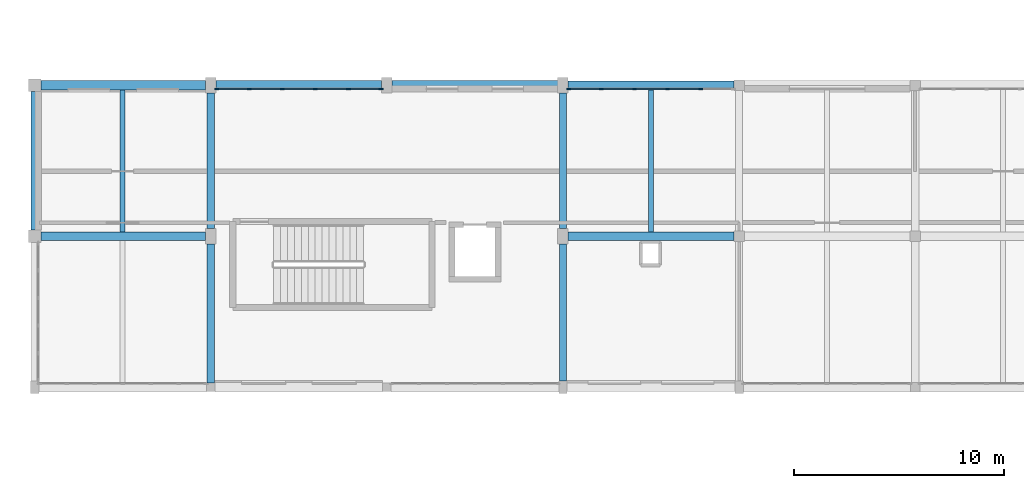
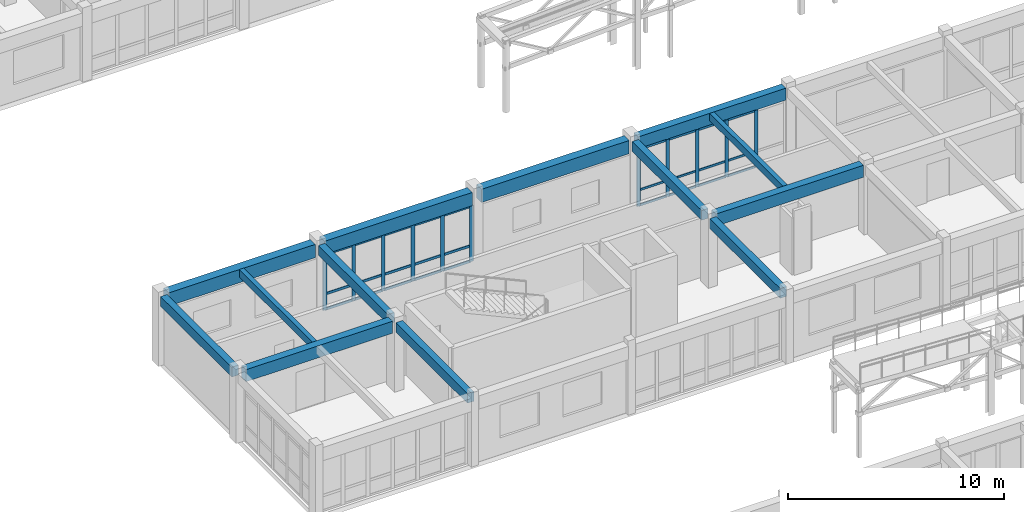
# One storey, part 27 of 89: 38 members, 13 beams, 2 elements without a shape of their own.
"""IFC4 building model written with IfcOpenShell, lengths in metres."""

from ifc_helpers import new_model, si_unit, direction, frame, origin, origin_2d, place, context, subcontext, project, spatial, rectangle, extrude, material, material_profile, profile_set, type_object, element, aggregate, save


model = new_model("IFC4")

# Units and contexts
model_context = context("Model", 3, precision=1e-05, world=origin(), true_north=direction((0.0, 1.0)))
body_context = subcontext(model_context, "Body", "Model", "MODEL_VIEW")
ifc_project = project(units=[si_unit("LENGTHUNIT", "METRE"), si_unit("AREAUNIT", "SQUARE_METRE"), si_unit("VOLUMEUNIT", "CUBIC_METRE"), si_unit("PLANEANGLEUNIT", "RADIAN"), si_unit("MASSUNIT", "GRAM", prefix="KILO")], contexts=[model_context])

# Site, building, storey
site_placement = place(None, origin())
site = spatial("IfcSite", under=ifc_project, at=site_placement, CompositionType="ELEMENT")
building_placement = place(site_placement, origin())
building = spatial("IfcBuilding", under=site, at=building_placement, Name="Malvenik Polytechnic", CompositionType="ELEMENT")
storey_placement = place(building_placement, frame((0.0, 0.0, 13.5)))
storey = spatial("IfcBuildingStorey", under=building, at=storey_placement, Name="L03", CompositionType="ELEMENT", Elevation=13.5)

# Curtain wall, members
ifc_material_1 = material(Name="Anodised aluminium 6060-T6", Category="aluminium")
curtain_wall_type = type_object("IfcCurtainWallType", Name="ARC-CW-CW-02", PredefinedType="NOTDEFINED", material=ifc_material_1)
curtain_wall_1_placement = place(storey_placement, origin())
curtain_wall_1 = element("IfcCurtainWall", 1, at=curtain_wall_1_placement, inside=storey, type_object=curtain_wall_type, Name="Unitised Curtain Wall CW-02 L03 #163", PredefinedType="NOTDEFINED")
ifc_material_2 = material(Name="Anodised aluminium", Category="aluminium")
ifc_material_profile_1 = material_profile(ifc_material_2, rectangle(XDim=0.06005859375, YDim=0.179931640625, at=origin_2d()), Name="ALU MULLION 60x180")
ifc_profile_set_1 = profile_set([ifc_material_profile_1], Name="Anodised aluminium")
member_type_1 = type_object("IfcMemberType", Name="ARC-CWM-180", PredefinedType="MULLION", material=ifc_profile_set_1)
member_1_placement = place(storey_placement, frame((25.47802734375, 93.429931640625, 0.0), z_axis=(0.0, 0.0, 1.0), x_axis=(0.0, 1.0, 0.0)))
member_1 = element("IfcMember", 2, at=member_1_placement, type_object=member_type_1, Name="CW-02 mullion 1", PredefinedType="MULLION", context=body_context, shape_type="SweptSolid", body=[
    extrude(rectangle(XDim=0.06005859375, YDim=0.179931640625, at=origin_2d()), origin(), (0.0, 0.0, 1.0), 3.22998046875),
])
member_2_placement = place(storey_placement, frame((27.02880859375, 93.429931640625, 0.0), z_axis=(0.0, 0.0, 1.0), x_axis=(0.0, 1.0, 0.0)))
member_2 = element("IfcMember", 3, at=member_2_placement, type_object=member_type_1, Name="CW-02 mullion 2", PredefinedType="MULLION", context=body_context, shape_type="SweptSolid", body=[
    extrude(rectangle(XDim=0.06005859375, YDim=0.179931640625, at=origin_2d()), origin(), (0.0, 0.0, 1.0), 3.22998046875),
])
member_3_placement = place(storey_placement, frame((28.609619140625, 93.429931640625, 0.0), z_axis=(0.0, 0.0, 1.0), x_axis=(0.0, 1.0, 0.0)))
member_3 = element("IfcMember", 4, at=member_3_placement, type_object=member_type_1, Name="CW-02 mullion 3", PredefinedType="MULLION", context=body_context, shape_type="SweptSolid", body=[
    extrude(rectangle(XDim=0.06005859375, YDim=0.179931640625, at=origin_2d()), origin(), (0.0, 0.0, 1.0), 3.22998046875),
])
member_4_placement = place(storey_placement, frame((30.1904296875, 93.429931640625, 0.0), z_axis=(0.0, 0.0, 1.0), x_axis=(0.0, 1.0, 0.0)))
member_4 = element("IfcMember", 5, at=member_4_placement, type_object=member_type_1, Name="CW-02 mullion 4", PredefinedType="MULLION", context=body_context, shape_type="SweptSolid", body=[
    extrude(rectangle(XDim=0.06005859375, YDim=0.179931640625, at=origin_2d()), origin(), (0.0, 0.0, 1.0), 3.22998046875),
])
member_5_placement = place(storey_placement, frame((31.771240234375, 93.429931640625, 0.0), z_axis=(0.0, 0.0, 1.0), x_axis=(0.0, 1.0, 0.0)))
member_5 = element("IfcMember", 6, at=member_5_placement, type_object=member_type_1, Name="CW-02 mullion 5", PredefinedType="MULLION", context=body_context, shape_type="SweptSolid", body=[
    extrude(rectangle(XDim=0.06005859375, YDim=0.179931640625, at=origin_2d()), origin(), (0.0, 0.0, 1.0), 3.22998046875),
])

curtain_wall_2_placement = place(storey_placement, origin())
curtain_wall_2 = element("IfcCurtainWall", 7, at=curtain_wall_2_placement, inside=storey, type_object=curtain_wall_type, Name="Unitised Curtain Wall CW-02 L03 #162", PredefinedType="NOTDEFINED")
ifc_material_profile_2 = material_profile(ifc_material_2, rectangle(XDim=0.06005859375, YDim=0.199951171875, at=origin_2d()), Name="ALU MULLION 60x200")
ifc_profile_set_2 = profile_set([ifc_material_profile_2], Name="Anodised aluminium")
member_type_2 = type_object("IfcMemberType", Name="ARC-CWM-200", PredefinedType="MULLION", material=ifc_profile_set_2)
member_6_placement = place(storey_placement, frame((8.677978515625, 93.429931640625, 0.0), z_axis=(0.0, 0.0, 1.0), x_axis=(0.0, 1.0, 0.0)))
member_6 = element("IfcMember", 8, at=member_6_placement, type_object=member_type_2, Name="CW-02 mullion 1", PredefinedType="MULLION", context=body_context, shape_type="SweptSolid", body=[
    extrude(rectangle(XDim=0.06005859375, YDim=0.199951171875, at=origin_2d()), origin(), (0.0, 0.0, 1.0), 3.159912109375),
])
member_7_placement = place(storey_placement, frame((10.228759765625, 93.429931640625, 0.0), z_axis=(0.0, 0.0, 1.0), x_axis=(0.0, 1.0, 0.0)))
member_7 = element("IfcMember", 9, at=member_7_placement, type_object=member_type_2, Name="CW-02 mullion 2", PredefinedType="MULLION", context=body_context, shape_type="SweptSolid", body=[
    extrude(rectangle(XDim=0.06005859375, YDim=0.199951171875, at=origin_2d()), origin(), (0.0, 0.0, 1.0), 3.159912109375),
])
member_8_placement = place(storey_placement, frame((11.8095703125, 93.429931640625, 0.0), z_axis=(0.0, 0.0, 1.0), x_axis=(0.0, 1.0, 0.0)))
member_8 = element("IfcMember", 10, at=member_8_placement, type_object=member_type_2, Name="CW-02 mullion 3", PredefinedType="MULLION", context=body_context, shape_type="SweptSolid", body=[
    extrude(rectangle(XDim=0.06005859375, YDim=0.199951171875, at=origin_2d()), origin(), (0.0, 0.0, 1.0), 3.159912109375),
])
member_9_placement = place(storey_placement, frame((13.390380859375, 93.429931640625, 0.0), z_axis=(0.0, 0.0, 1.0), x_axis=(0.0, 1.0, 0.0)))
member_9 = element("IfcMember", 11, at=member_9_placement, type_object=member_type_2, Name="CW-02 mullion 4", PredefinedType="MULLION", context=body_context, shape_type="SweptSolid", body=[
    extrude(rectangle(XDim=0.06005859375, YDim=0.199951171875, at=origin_2d()), origin(), (0.0, 0.0, 1.0), 3.159912109375),
])
member_10_placement = place(storey_placement, frame((14.97119140625, 93.429931640625, 0.0), z_axis=(0.0, 0.0, 1.0), x_axis=(0.0, 1.0, 0.0)))
member_10 = element("IfcMember", 12, at=member_10_placement, type_object=member_type_2, Name="CW-02 mullion 5", PredefinedType="MULLION", context=body_context, shape_type="SweptSolid", body=[
    extrude(rectangle(XDim=0.06005859375, YDim=0.199951171875, at=origin_2d()), origin(), (0.0, 0.0, 1.0), 3.159912109375),
])
member_11_placement = place(storey_placement, frame((16.52197265625, 93.429931640625, 0.0), z_axis=(0.0, 0.0, 1.0), x_axis=(0.0, 1.0, 0.0)))
member_11 = element("IfcMember", 13, at=member_11_placement, type_object=member_type_2, Name="CW-02 mullion 6", PredefinedType="MULLION", context=body_context, shape_type="SweptSolid", body=[
    extrude(rectangle(XDim=0.06005859375, YDim=0.199951171875, at=origin_2d()), origin(), (0.0, 0.0, 1.0), 3.159912109375),
])

# Member
ifc_material_profile_3 = material_profile(ifc_material_2, rectangle(XDim=0.06005859375, YDim=0.1201171875, at=origin_2d()), Name="ALU TRANSOM 60x120")
ifc_profile_set_3 = profile_set([ifc_material_profile_3], Name="Anodised aluminium")
member_type_3 = type_object("IfcMemberType", Name="ARC-CWT-120", PredefinedType="USERDEFINED", material=ifc_profile_set_3)
member_12_placement = place(storey_placement, frame((25.508056640625, 93.429931640625, 0.030029296875), z_axis=(1.0, 0.0, 0.0), x_axis=(0.0, 1.0, 0.0)))
member_12 = element("IfcMember", 14, at=member_12_placement, type_object=member_type_3, Name="CW-02 transom 1.1", ObjectType="TRANSOM", PredefinedType="USERDEFINED", context=body_context, shape_type="SweptSolid", body=[
    extrude(rectangle(XDim=0.06005859375, YDim=0.1201171875, at=origin_2d()), origin(), (0.0, 0.0, 1.0), 1.49072265625),
])

member_13_placement = place(storey_placement, frame((25.508056640625, 93.429931640625, 0.89990234375), z_axis=(1.0, 0.0, 0.0), x_axis=(0.0, 1.0, 0.0)))
member_13 = element("IfcMember", 15, at=member_13_placement, type_object=member_type_3, Name="CW-02 transom 1.2", ObjectType="TRANSOM", PredefinedType="USERDEFINED", context=body_context, shape_type="SweptSolid", body=[
    extrude(rectangle(XDim=0.06005859375, YDim=0.1201171875, at=origin_2d()), origin(), (0.0, 0.0, 1.0), 1.49072265625),
])

member_14_placement = place(storey_placement, frame((25.508056640625, 93.429931640625, 3.199951171875), z_axis=(1.0, 0.0, 0.0), x_axis=(0.0, 1.0, 0.0)))
member_14 = element("IfcMember", 16, at=member_14_placement, type_object=member_type_3, Name="CW-02 transom 1.3", ObjectType="TRANSOM", PredefinedType="USERDEFINED", context=body_context, shape_type="SweptSolid", body=[
    extrude(rectangle(XDim=0.06005859375, YDim=0.1201171875, at=origin_2d()), origin(), (0.0, 0.0, 1.0), 1.49072265625),
])

member_15_placement = place(storey_placement, frame((27.058837890625, 93.429931640625, 0.030029296875), z_axis=(1.0, 0.0, 0.0), x_axis=(0.0, 1.0, 0.0)))
member_15 = element("IfcMember", 17, at=member_15_placement, type_object=member_type_3, Name="CW-02 transom 2.1", ObjectType="TRANSOM", PredefinedType="USERDEFINED", context=body_context, shape_type="SweptSolid", body=[
    extrude(rectangle(XDim=0.06005859375, YDim=0.1201171875, at=origin_2d()), origin(), (0.0, 0.0, 1.0), 1.520751953125),
])

member_16_placement = place(storey_placement, frame((27.058837890625, 93.429931640625, 0.89990234375), z_axis=(1.0, 0.0, 0.0), x_axis=(0.0, 1.0, 0.0)))
member_16 = element("IfcMember", 18, at=member_16_placement, type_object=member_type_3, Name="CW-02 transom 2.2", ObjectType="TRANSOM", PredefinedType="USERDEFINED", context=body_context, shape_type="SweptSolid", body=[
    extrude(rectangle(XDim=0.06005859375, YDim=0.1201171875, at=origin_2d()), origin(), (0.0, 0.0, 1.0), 1.520751953125),
])

member_17_placement = place(storey_placement, frame((27.058837890625, 93.429931640625, 3.199951171875), z_axis=(1.0, 0.0, 0.0), x_axis=(0.0, 1.0, 0.0)))
member_17 = element("IfcMember", 19, at=member_17_placement, type_object=member_type_3, Name="CW-02 transom 2.3", ObjectType="TRANSOM", PredefinedType="USERDEFINED", context=body_context, shape_type="SweptSolid", body=[
    extrude(rectangle(XDim=0.06005859375, YDim=0.1201171875, at=origin_2d()), origin(), (0.0, 0.0, 1.0), 1.520751953125),
])

member_18_placement = place(storey_placement, frame((28.6396484375, 93.429931640625, 0.030029296875), z_axis=(1.0, 0.0, 0.0), x_axis=(0.0, 1.0, 0.0)))
member_18 = element("IfcMember", 20, at=member_18_placement, type_object=member_type_3, Name="CW-02 transom 3.1", ObjectType="TRANSOM", PredefinedType="USERDEFINED", context=body_context, shape_type="SweptSolid", body=[
    extrude(rectangle(XDim=0.06005859375, YDim=0.1201171875, at=origin_2d()), origin(), (0.0, 0.0, 1.0), 1.520751953125),
])

member_19_placement = place(storey_placement, frame((28.6396484375, 93.429931640625, 0.89990234375), z_axis=(1.0, 0.0, 0.0), x_axis=(0.0, 1.0, 0.0)))
member_19 = element("IfcMember", 21, at=member_19_placement, type_object=member_type_3, Name="CW-02 transom 3.2", ObjectType="TRANSOM", PredefinedType="USERDEFINED", context=body_context, shape_type="SweptSolid", body=[
    extrude(rectangle(XDim=0.06005859375, YDim=0.1201171875, at=origin_2d()), origin(), (0.0, 0.0, 1.0), 1.520751953125),
])

member_20_placement = place(storey_placement, frame((28.6396484375, 93.429931640625, 3.199951171875), z_axis=(1.0, 0.0, 0.0), x_axis=(0.0, 1.0, 0.0)))
member_20 = element("IfcMember", 22, at=member_20_placement, type_object=member_type_3, Name="CW-02 transom 3.3", ObjectType="TRANSOM", PredefinedType="USERDEFINED", context=body_context, shape_type="SweptSolid", body=[
    extrude(rectangle(XDim=0.06005859375, YDim=0.1201171875, at=origin_2d()), origin(), (0.0, 0.0, 1.0), 1.520751953125),
])

member_21_placement = place(storey_placement, frame((30.220458984375, 93.429931640625, 0.030029296875), z_axis=(1.0, 0.0, 0.0), x_axis=(0.0, 1.0, 0.0)))
member_21 = element("IfcMember", 23, at=member_21_placement, type_object=member_type_3, Name="CW-02 transom 4.1", ObjectType="TRANSOM", PredefinedType="USERDEFINED", context=body_context, shape_type="SweptSolid", body=[
    extrude(rectangle(XDim=0.06005859375, YDim=0.1201171875, at=origin_2d()), origin(), (0.0, 0.0, 1.0), 1.520751953125),
])

member_22_placement = place(storey_placement, frame((30.220458984375, 93.429931640625, 0.89990234375), z_axis=(1.0, 0.0, 0.0), x_axis=(0.0, 1.0, 0.0)))
member_22 = element("IfcMember", 24, at=member_22_placement, type_object=member_type_3, Name="CW-02 transom 4.2", ObjectType="TRANSOM", PredefinedType="USERDEFINED", context=body_context, shape_type="SweptSolid", body=[
    extrude(rectangle(XDim=0.06005859375, YDim=0.1201171875, at=origin_2d()), origin(), (0.0, 0.0, 1.0), 1.520751953125),
])

member_23_placement = place(storey_placement, frame((30.220458984375, 93.429931640625, 3.199951171875), z_axis=(1.0, 0.0, 0.0), x_axis=(0.0, 1.0, 0.0)))
member_23 = element("IfcMember", 25, at=member_23_placement, type_object=member_type_3, Name="CW-02 transom 4.3", ObjectType="TRANSOM", PredefinedType="USERDEFINED", context=body_context, shape_type="SweptSolid", body=[
    extrude(rectangle(XDim=0.06005859375, YDim=0.1201171875, at=origin_2d()), origin(), (0.0, 0.0, 1.0), 1.520751953125),
])

aggregate(curtain_wall_1, [member_1, member_2, member_3, member_4, member_5, member_12, member_13, member_14, member_15, member_16, member_17, member_18, member_19, member_20, member_21, member_22, member_23])

ifc_material_profile_4 = material_profile(ifc_material_2, rectangle(XDim=0.06005859375, YDim=0.139892578125, at=origin_2d()), Name="ALU TRANSOM 60x140")
ifc_profile_set_4 = profile_set([ifc_material_profile_4], Name="Anodised aluminium")
member_type_4 = type_object("IfcMemberType", Name="ARC-CWT-140", PredefinedType="USERDEFINED", material=ifc_profile_set_4)
member_24_placement = place(storey_placement, frame((8.7080078125, 93.429931640625, 0.030029296875), z_axis=(1.0, 0.0, 0.0), x_axis=(0.0, 1.0, 0.0)))
member_24 = element("IfcMember", 26, at=member_24_placement, type_object=member_type_4, Name="CW-02 transom 1.1", ObjectType="TRANSOM", PredefinedType="USERDEFINED", context=body_context, shape_type="SweptSolid", body=[
    extrude(rectangle(XDim=0.06005859375, YDim=0.139892578125, at=origin_2d()), origin(), (0.0, 0.0, 1.0), 1.49072265625),
])

member_25_placement = place(storey_placement, frame((8.7080078125, 93.429931640625, 0.89990234375), z_axis=(1.0, 0.0, 0.0), x_axis=(0.0, 1.0, 0.0)))
member_25 = element("IfcMember", 27, at=member_25_placement, type_object=member_type_4, Name="CW-02 transom 1.2", ObjectType="TRANSOM", PredefinedType="USERDEFINED", context=body_context, shape_type="SweptSolid", body=[
    extrude(rectangle(XDim=0.06005859375, YDim=0.139892578125, at=origin_2d()), origin(), (0.0, 0.0, 1.0), 1.49072265625),
])

member_26_placement = place(storey_placement, frame((8.7080078125, 93.429931640625, 3.1298828125), z_axis=(1.0, 0.0, 0.0), x_axis=(0.0, 1.0, 0.0)))
member_26 = element("IfcMember", 28, at=member_26_placement, type_object=member_type_4, Name="CW-02 transom 1.3", ObjectType="TRANSOM", PredefinedType="USERDEFINED", context=body_context, shape_type="SweptSolid", body=[
    extrude(rectangle(XDim=0.06005859375, YDim=0.139892578125, at=origin_2d()), origin(), (0.0, 0.0, 1.0), 1.49072265625),
])

member_27_placement = place(storey_placement, frame((10.2587890625, 93.429931640625, 0.030029296875), z_axis=(1.0, 0.0, 0.0), x_axis=(0.0, 1.0, 0.0)))
member_27 = element("IfcMember", 29, at=member_27_placement, type_object=member_type_4, Name="CW-02 transom 2.1", ObjectType="TRANSOM", PredefinedType="USERDEFINED", context=body_context, shape_type="SweptSolid", body=[
    extrude(rectangle(XDim=0.06005859375, YDim=0.139892578125, at=origin_2d()), origin(), (0.0, 0.0, 1.0), 1.520751953125),
])

member_28_placement = place(storey_placement, frame((10.2587890625, 93.429931640625, 0.89990234375), z_axis=(1.0, 0.0, 0.0), x_axis=(0.0, 1.0, 0.0)))
member_28 = element("IfcMember", 30, at=member_28_placement, type_object=member_type_4, Name="CW-02 transom 2.2", ObjectType="TRANSOM", PredefinedType="USERDEFINED", context=body_context, shape_type="SweptSolid", body=[
    extrude(rectangle(XDim=0.06005859375, YDim=0.139892578125, at=origin_2d()), origin(), (0.0, 0.0, 1.0), 1.520751953125),
])

member_29_placement = place(storey_placement, frame((10.2587890625, 93.429931640625, 3.1298828125), z_axis=(1.0, 0.0, 0.0), x_axis=(0.0, 1.0, 0.0)))
member_29 = element("IfcMember", 31, at=member_29_placement, type_object=member_type_4, Name="CW-02 transom 2.3", ObjectType="TRANSOM", PredefinedType="USERDEFINED", context=body_context, shape_type="SweptSolid", body=[
    extrude(rectangle(XDim=0.06005859375, YDim=0.139892578125, at=origin_2d()), origin(), (0.0, 0.0, 1.0), 1.520751953125),
])

member_30_placement = place(storey_placement, frame((11.839599609375, 93.429931640625, 0.030029296875), z_axis=(1.0, 0.0, 0.0), x_axis=(0.0, 1.0, 0.0)))
member_30 = element("IfcMember", 32, at=member_30_placement, type_object=member_type_4, Name="CW-02 transom 3.1", ObjectType="TRANSOM", PredefinedType="USERDEFINED", context=body_context, shape_type="SweptSolid", body=[
    extrude(rectangle(XDim=0.06005859375, YDim=0.139892578125, at=origin_2d()), origin(), (0.0, 0.0, 1.0), 1.520751953125),
])

member_31_placement = place(storey_placement, frame((11.839599609375, 93.429931640625, 0.89990234375), z_axis=(1.0, 0.0, 0.0), x_axis=(0.0, 1.0, 0.0)))
member_31 = element("IfcMember", 33, at=member_31_placement, type_object=member_type_4, Name="CW-02 transom 3.2", ObjectType="TRANSOM", PredefinedType="USERDEFINED", context=body_context, shape_type="SweptSolid", body=[
    extrude(rectangle(XDim=0.06005859375, YDim=0.139892578125, at=origin_2d()), origin(), (0.0, 0.0, 1.0), 1.520751953125),
])

member_32_placement = place(storey_placement, frame((11.839599609375, 93.429931640625, 3.1298828125), z_axis=(1.0, 0.0, 0.0), x_axis=(0.0, 1.0, 0.0)))
member_32 = element("IfcMember", 34, at=member_32_placement, type_object=member_type_4, Name="CW-02 transom 3.3", ObjectType="TRANSOM", PredefinedType="USERDEFINED", context=body_context, shape_type="SweptSolid", body=[
    extrude(rectangle(XDim=0.06005859375, YDim=0.139892578125, at=origin_2d()), origin(), (0.0, 0.0, 1.0), 1.520751953125),
])

member_33_placement = place(storey_placement, frame((13.42041015625, 93.429931640625, 0.030029296875), z_axis=(1.0, 0.0, 0.0), x_axis=(0.0, 1.0, 0.0)))
member_33 = element("IfcMember", 35, at=member_33_placement, type_object=member_type_4, Name="CW-02 transom 4.1", ObjectType="TRANSOM", PredefinedType="USERDEFINED", context=body_context, shape_type="SweptSolid", body=[
    extrude(rectangle(XDim=0.06005859375, YDim=0.139892578125, at=origin_2d()), origin(), (0.0, 0.0, 1.0), 1.520751953125),
])

member_34_placement = place(storey_placement, frame((13.42041015625, 93.429931640625, 0.89990234375), z_axis=(1.0, 0.0, 0.0), x_axis=(0.0, 1.0, 0.0)))
member_34 = element("IfcMember", 36, at=member_34_placement, type_object=member_type_4, Name="CW-02 transom 4.2", ObjectType="TRANSOM", PredefinedType="USERDEFINED", context=body_context, shape_type="SweptSolid", body=[
    extrude(rectangle(XDim=0.06005859375, YDim=0.139892578125, at=origin_2d()), origin(), (0.0, 0.0, 1.0), 1.520751953125),
])

member_35_placement = place(storey_placement, frame((13.42041015625, 93.429931640625, 3.1298828125), z_axis=(1.0, 0.0, 0.0), x_axis=(0.0, 1.0, 0.0)))
member_35 = element("IfcMember", 37, at=member_35_placement, type_object=member_type_4, Name="CW-02 transom 4.3", ObjectType="TRANSOM", PredefinedType="USERDEFINED", context=body_context, shape_type="SweptSolid", body=[
    extrude(rectangle(XDim=0.06005859375, YDim=0.139892578125, at=origin_2d()), origin(), (0.0, 0.0, 1.0), 1.520751953125),
])

member_36_placement = place(storey_placement, frame((15.001220703125, 93.429931640625, 0.030029296875), z_axis=(1.0, 0.0, 0.0), x_axis=(0.0, 1.0, 0.0)))
member_36 = element("IfcMember", 38, at=member_36_placement, type_object=member_type_4, Name="CW-02 transom 5.1", ObjectType="TRANSOM", PredefinedType="USERDEFINED", context=body_context, shape_type="SweptSolid", body=[
    extrude(rectangle(XDim=0.06005859375, YDim=0.139892578125, at=origin_2d()), origin(), (0.0, 0.0, 1.0), 1.49072265625),
])

member_37_placement = place(storey_placement, frame((15.001220703125, 93.429931640625, 0.89990234375), z_axis=(1.0, 0.0, 0.0), x_axis=(0.0, 1.0, 0.0)))
member_37 = element("IfcMember", 39, at=member_37_placement, type_object=member_type_4, Name="CW-02 transom 5.2", ObjectType="TRANSOM", PredefinedType="USERDEFINED", context=body_context, shape_type="SweptSolid", body=[
    extrude(rectangle(XDim=0.06005859375, YDim=0.139892578125, at=origin_2d()), origin(), (0.0, 0.0, 1.0), 1.49072265625),
])

member_38_placement = place(storey_placement, frame((15.001220703125, 93.429931640625, 3.1298828125), z_axis=(1.0, 0.0, 0.0), x_axis=(0.0, 1.0, 0.0)))
member_38 = element("IfcMember", 40, at=member_38_placement, type_object=member_type_4, Name="CW-02 transom 5.3", ObjectType="TRANSOM", PredefinedType="USERDEFINED", context=body_context, shape_type="SweptSolid", body=[
    extrude(rectangle(XDim=0.06005859375, YDim=0.139892578125, at=origin_2d()), origin(), (0.0, 0.0, 1.0), 1.49072265625),
])

aggregate(curtain_wall_2, [member_6, member_7, member_8, member_9, member_10, member_11, member_24, member_25, member_26, member_27, member_28, member_29, member_30, member_31, member_32, member_33, member_34, member_35, member_36, member_37, member_38])

# Beams
ifc_material_3 = material(Name="Concrete C35/45", Category="concrete")
ifc_material_profile_5 = material_profile(ifc_material_3, rectangle(XDim=0.39990234375, YDim=0.679931640625, at=origin_2d()), Name="RC BM 400x680")
ifc_profile_set_5 = profile_set([ifc_material_profile_5], Name="Concrete C35/45")
beam_type_1 = type_object("IfcBeamType", Name="STR-BM-B-05", PredefinedType="BEAM", material=ifc_profile_set_5)
beam_1_placement = place(storey_placement, frame((0.298095703125, 86.39990234375, 3.580078125), z_axis=(1.0, 0.0, 0.0), x_axis=(0.0, 1.0, 0.0)))
element("IfcBeam", 41, at=beam_1_placement, inside=storey, type_object=beam_type_1, Name="Primary Beam B-05 L03 #1650", PredefinedType="BEAM", context=body_context, shape_type="SweptSolid", body=[
    extrude(rectangle(XDim=0.39990234375, YDim=0.679931640625, at=origin_2d()), origin(), (0.0, 0.0, 1.0), 7.85400390625),
])
for number, where, z_axis, x_axis, name in (
    (42, (25.447998046875, 86.39990234375, 3.580078125), (1.0, 0.0, 0.0), (0.0, 1.0, 0.0), "Primary Beam B-05 L03 #1651"),
    (43, (25.447998046875, 93.60009765625, 3.580078125), (1.0, 0.0, 0.0), (0.0, 1.0, 0.0), "Primary Beam B-05 L03 #1665"),
):
    element("IfcBeam", number, at=place(storey_placement, frame(where, z_axis=z_axis, x_axis=x_axis)), inside=storey, type_object=beam_type_1, Name=name, PredefinedType="BEAM", context=body_context, shape_type="SweptSolid", body=[
        extrude(rectangle(XDim=0.39990234375, YDim=0.679931640625, at=origin_2d()), origin(), (0.0, 0.0, 1.0), 7.904052734375),
    ])
ifc_material_profile_6 = material_profile(ifc_material_3, rectangle(XDim=0.35009765625, YDim=0.550048828125, at=origin_2d()), Name="RC BM 350x550")
ifc_profile_set_6 = profile_set([ifc_material_profile_6], Name="Concrete C35/45")
beam_type_2 = type_object("IfcBeamType", Name="STR-BM-B-08", PredefinedType="BEAM", material=ifc_profile_set_6)
beam_2_placement = place(storey_placement, frame((0.0, 86.697998046875, 3.64501953125), z_axis=(0.0, 1.0, 0.0), x_axis=(-1.0, 0.0, 0.0)))
element("IfcBeam", 44, at=beam_2_placement, inside=storey, type_object=beam_type_2, Name="Transverse Beam B-08 L03 #1720", PredefinedType="BEAM", context=body_context, shape_type="SweptSolid", body=[
    extrude(rectangle(XDim=0.35009765625, YDim=0.550048828125, at=origin_2d()), origin(), (0.0, 0.0, 1.0), 6.60400390625),
])
beam_3_placement = place(storey_placement, frame((8.39990234375, 79.39794921875, 3.64501953125), z_axis=(0.0, 1.0, 0.0), x_axis=(-1.0, 0.0, 0.0)))
element("IfcBeam", 45, at=beam_3_placement, inside=storey, type_object=beam_type_2, Name="Transverse Beam B-08 L03 #1724", PredefinedType="BEAM", context=body_context, shape_type="SweptSolid", body=[
    extrude(rectangle(XDim=0.35009765625, YDim=0.550048828125, at=origin_2d()), origin(), (0.0, 0.0, 1.0), 6.629150390625),
])
beam_4_placement = place(storey_placement, frame((8.39990234375, 86.77294921875, 3.64501953125), z_axis=(0.0, 1.0, 0.0), x_axis=(-1.0, 0.0, 0.0)))
element("IfcBeam", 46, at=beam_4_placement, inside=storey, type_object=beam_type_2, Name="Transverse Beam B-08 L03 #1725", PredefinedType="BEAM", context=body_context, shape_type="SweptSolid", body=[
    extrude(rectangle(XDim=0.35009765625, YDim=0.550048828125, at=origin_2d()), origin(), (0.0, 0.0, 1.0), 6.4541015625),
])
beam_5_placement = place(storey_placement, frame((25.199951171875, 79.498046875, 3.64501953125), z_axis=(0.0, 1.0, 0.0), x_axis=(-1.0, 0.0, 0.0)))
element("IfcBeam", 47, at=beam_5_placement, inside=storey, type_object=beam_type_2, Name="Transverse Beam B-08 L03 #1730", PredefinedType="BEAM", context=body_context, shape_type="SweptSolid", body=[
    extrude(rectangle(XDim=0.35009765625, YDim=0.550048828125, at=origin_2d()), origin(), (0.0, 0.0, 1.0), 6.529052734375),
])
beam_6_placement = place(storey_placement, frame((25.199951171875, 86.77294921875, 3.64501953125), z_axis=(0.0, 1.0, 0.0), x_axis=(-1.0, 0.0, 0.0)))
element("IfcBeam", 48, at=beam_6_placement, inside=storey, type_object=beam_type_2, Name="Transverse Beam B-08 L03 #1731", PredefinedType="BEAM", context=body_context, shape_type="SweptSolid", body=[
    extrude(rectangle(XDim=0.35009765625, YDim=0.550048828125, at=origin_2d()), origin(), (0.0, 0.0, 1.0), 6.4541015625),
])
ifc_material_4 = material(Name="Concrete C30/37", Category="concrete")
ifc_material_profile_7 = material_profile(ifc_material_4, rectangle(XDim=0.239990234375, YDim=0.419921875, at=origin_2d()), Name="RC JST 240x420")
ifc_profile_set_7 = profile_set([ifc_material_profile_7], Name="Concrete C30/37")
beam_type_3 = type_object("IfcBeamType", Name="STR-BM-J-03", PredefinedType="JOIST", material=ifc_profile_set_7)
beam_7_placement = place(storey_placement, frame((4.199951171875, 86.597900390625, 3.7099609375), z_axis=(0.0, 1.0, 0.0), x_axis=(-1.0, 0.0, 0.0)))
element("IfcBeam", 49, at=beam_7_placement, inside=storey, type_object=beam_type_3, Name="Secondary Rib Joist J-03 L03 #1784", PredefinedType="JOIST", context=body_context, shape_type="SweptSolid", body=[
    extrude(rectangle(XDim=0.239990234375, YDim=0.419921875, at=origin_2d()), origin(), (0.0, 0.0, 1.0), 6.774169921875),
])
beam_8_placement = place(storey_placement, frame((29.39990234375, 86.597900390625, 3.7099609375), z_axis=(0.0, 1.0, 0.0), x_axis=(-1.0, 0.0, 0.0)))
element("IfcBeam", 50, at=beam_8_placement, inside=storey, type_object=beam_type_3, Name="Secondary Rib Joist J-03 L03 #1790", PredefinedType="JOIST", context=body_context, shape_type="SweptSolid", body=[
    extrude(rectangle(XDim=0.239990234375, YDim=0.419921875, at=origin_2d()), origin(), (0.0, 0.0, 1.0), 6.80419921875),
])
ifc_material_5 = material(Name="Precast concrete C40/50", Category="concrete")
ifc_material_profile_8 = material_profile(ifc_material_5, rectangle(XDim=0.4599609375, YDim=0.75, at=origin_2d()), Name="PC SPN 460x750")
ifc_profile_set_8 = profile_set([ifc_material_profile_8], Name="Precast concrete C40/50")
beam_type_4 = type_object("IfcBeamType", Name="STR-BM-SP-02", PredefinedType="SPANDREL", material=ifc_profile_set_8)
beam_9_placement = place(storey_placement, frame((0.298095703125, 93.60009765625, 3.544921875), z_axis=(1.0, 0.0, 0.0), x_axis=(0.0, 1.0, 0.0)))
element("IfcBeam", 51, at=beam_9_placement, inside=storey, type_object=beam_type_4, Name="Primary Beam SP-02 L03 #1662", PredefinedType="SPANDREL", context=body_context, shape_type="SweptSolid", body=[
    extrude(rectangle(XDim=0.4599609375, YDim=0.75, at=origin_2d()), origin(), (0.0, 0.0, 1.0), 7.85400390625),
])
beam_10_placement = place(storey_placement, frame((8.64794921875, 93.60009765625, 3.544921875), z_axis=(1.0, 0.0, 0.0), x_axis=(0.0, 1.0, 0.0)))
element("IfcBeam", 52, at=beam_10_placement, inside=storey, type_object=beam_type_4, Name="Primary Beam SP-02 L03 #1663", PredefinedType="SPANDREL", context=body_context, shape_type="SweptSolid", body=[
    extrude(rectangle(XDim=0.4599609375, YDim=0.75, at=origin_2d()), origin(), (0.0, 0.0, 1.0), 7.904052734375),
])
beam_11_placement = place(storey_placement, frame((17.048095703125, 93.60009765625, 3.544921875), z_axis=(1.0, 0.0, 0.0), x_axis=(0.0, 1.0, 0.0)))
element("IfcBeam", 53, at=beam_11_placement, inside=storey, type_object=beam_type_4, Name="Primary Beam SP-02 L03 #1664", PredefinedType="SPANDREL", context=body_context, shape_type="SweptSolid", body=[
    extrude(rectangle(XDim=0.4599609375, YDim=0.75, at=origin_2d()), origin(), (0.0, 0.0, 1.0), 7.90380859375),
])

save(model, "model.ifc")
